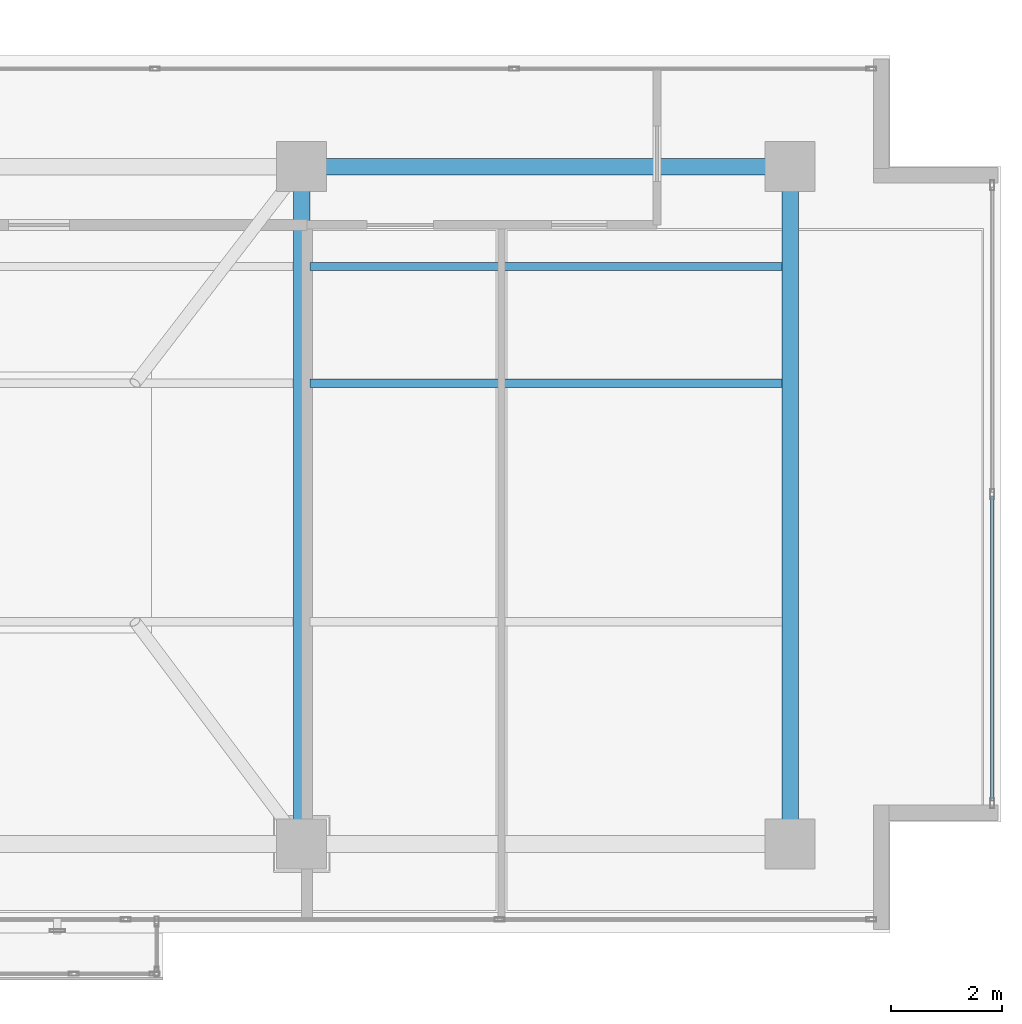
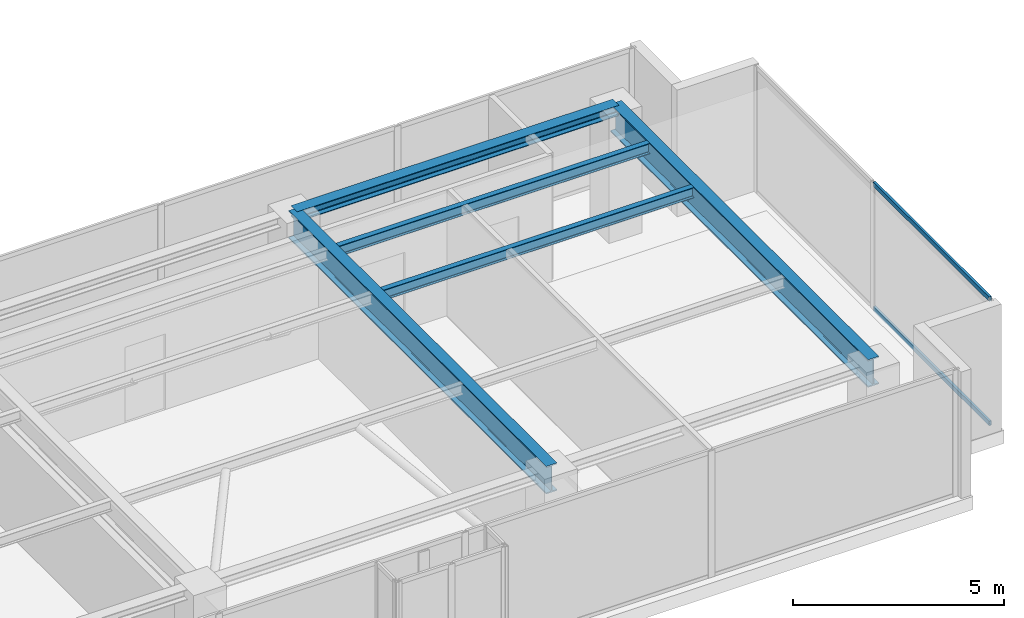
# One storey, part 16 of 31: 5 beams, 2 members, 1 element without a shape of its own.
"""IFC4 building model written with IfcOpenShell, lengths in metres."""

from ifc_helpers import new_model, si_unit, direction, frame, origin, origin_with_axes, origin_2d, place, context, subcontext, project, spatial, hollow_rectangle, i_section, extrude, source, transform, mapped, material, layer, layer_set, material_profile, profile_set, type_object, element, aggregate, save


model = new_model("IFC4")

# Units and contexts
model_context = context("Model", 3, precision=1e-05, world=origin(), true_north=direction((0.0, 1.0)))
body_context = subcontext(model_context, "Body", "Model", "MODEL_VIEW")
ifc_project = project(units=[si_unit("LENGTHUNIT", "METRE"), si_unit("AREAUNIT", "SQUARE_METRE"), si_unit("VOLUMEUNIT", "CUBIC_METRE"), si_unit("PLANEANGLEUNIT", "RADIAN"), si_unit("MASSUNIT", "GRAM", prefix="KILO")], contexts=[model_context])

# Site, building, storey
site_placement = place(None, origin())
site = spatial("IfcSite", under=ifc_project, at=site_placement, CompositionType="ELEMENT")
building_placement = place(site_placement, origin())
building = spatial("IfcBuilding", under=site, at=building_placement, Name="Kolvaren Waterfront Exchange", CompositionType="ELEMENT")
storey_placement = place(building_placement, frame((0.0, 0.0, 344.199951171875)))
storey = spatial("IfcBuildingStorey", under=building, at=storey_placement, Name="L88", CompositionType="ELEMENT", Elevation=344.199951171875)

# Beams
ifc_material_1 = material(Name="Steel S355", Category="steel")
ifc_material_profile_1 = material_profile(ifc_material_1, i_section(OverallWidth=0.300048828125, OverallDepth=0.300048828125, WebThickness=0.010986328125, FlangeThickness=0.01904296875, FilletRadius=0.027099609375, at=origin_2d()), Name="HEB300")
ifc_profile_set_1 = profile_set([ifc_material_profile_1], Name="Steel S355")
beam_type_1 = type_object("IfcBeamType", Name="STR-BM-HEB300", PredefinedType="SPANDREL", material=ifc_profile_set_1)
beam_placement = place(storey_placement, frame((36.800048828125, 17.39990234375, 3.510009765625), z_axis=(1.0, 0.0, 0.0), x_axis=(0.0, 1.0, 0.0)))
element("IfcBeam", 1, at=beam_placement, inside=storey, type_object=beam_type_1, Name="L88 east-arm spandrel N3", PredefinedType="SPANDREL", context=body_context, shape_type="SweptSolid", body=[
    extrude(i_section(OverallWidth=0.300048828125, OverallDepth=0.300048828125, WebThickness=0.010986328125, FlangeThickness=0.01904296875, FilletRadius=0.027099609375, at=origin_2d()), origin(), (0.0, 0.0, 1.0), 8.800048828125),
])
ifc_material_profile_2 = material_profile(ifc_material_1, i_section(OverallWidth=0.300048828125, OverallDepth=0.800048828125, WebThickness=0.017578125, FlangeThickness=0.032958984375, FilletRadius=0.030029296875, at=origin_2d()), Name="HEB800")
ifc_profile_set_2 = profile_set([ifc_material_profile_2], Name="Steel S355")
beam_type_2 = type_object("IfcBeamType", Name="STR-BM-HEB800", PredefinedType="BEAM", material=ifc_profile_set_2)
for number, where, z_axis, x_axis, name in (
    (2, (36.800048828125, 5.199951171875, 3.260009765625), (0.0, 1.0, 0.0), (-1.0, 0.0, 0.0), "L88 east-arm transverse girder X36"),
    (3, (45.60009765625, 5.199951171875, 3.260009765625), (0.0, 1.0, 0.0), (-1.0, 0.0, 0.0), "L88 east-arm transverse girder X45"),
):
    element("IfcBeam", number, at=place(storey_placement, frame(where, z_axis=z_axis, x_axis=x_axis)), inside=storey, type_object=beam_type_2, Name=name, PredefinedType="BEAM", context=body_context, shape_type="SweptSolid", body=[
        extrude(i_section(OverallWidth=0.300048828125, OverallDepth=0.800048828125, WebThickness=0.017578125, FlangeThickness=0.032958984375, FilletRadius=0.030029296875, at=origin_2d()), origin(), (0.0, 0.0, 1.0), 12.199951171875),
    ])
ifc_material_profile_3 = material_profile(ifc_material_1, i_section(OverallWidth=0.14990234375, OverallDepth=0.300048828125, WebThickness=0.007080078125, FlangeThickness=0.0107421875, FilletRadius=0.014892578125, at=origin_2d()), Name="IPE300")
ifc_profile_set_3 = profile_set([ifc_material_profile_3], Name="Steel S355")
beam_type_3 = type_object("IfcBeamType", Name="STR-BM-IPE300", PredefinedType="JOIST", material=ifc_profile_set_3)
for number, where, z_axis, x_axis, name in (
    (4, (36.951904296875, 13.5, 3.510009765625), (1.0, 0.0, 0.0), (0.0, 1.0, 0.0), "L88 east-arm composite joist 3A"),
    (5, (36.951904296875, 15.60009765625, 3.510009765625), (1.0, 0.0, 0.0), (0.0, 1.0, 0.0), "L88 east-arm composite joist 3C"),
):
    element("IfcBeam", number, at=place(storey_placement, frame(where, z_axis=z_axis, x_axis=x_axis)), inside=storey, type_object=beam_type_3, Name=name, PredefinedType="JOIST", context=body_context, shape_type="SweptSolid", body=[
        extrude(i_section(OverallWidth=0.14990234375, OverallDepth=0.300048828125, WebThickness=0.007080078125, FlangeThickness=0.0107421875, FilletRadius=0.014892578125, at=origin_2d()), origin(), (0.0, 0.0, 1.0), 8.49609375),
    ])

# Curtain wall, members
ifc_material_2 = material(Name="Anodised bronze aluminium 6063-T6", Category="aluminium")
ifc_layer = layer(ifc_material_2, 0.219970703125, Name="Anodised bronze aluminium 6063-T6")
ifc_layer_set = layer_set([ifc_layer], Name="Anodised bronze aluminium 6063-T6")
curtain_wall_type = type_object("IfcCurtainWallType", Name="ARC-CW-SYS5", PredefinedType="USERDEFINED", material=ifc_layer_set)
curtain_wall_placement = place(storey_placement, origin())
curtain_wall = element("IfcCurtainWall", 6, at=curtain_wall_placement, inside=storey, type_object=curtain_wall_type, Name="L88 stick curtain wall CW5 (CW-L88-ET)", ObjectType="STICK CURTAIN WALL", PredefinedType="USERDEFINED")
ifc_material_profile_4 = material_profile(ifc_material_2, hollow_rectangle(XDim=0.06494140625, YDim=0.1298828125, WallThickness=0.00390625, at=origin_2d()), Name="ALU-TRN-130x65x4")
ifc_profile_set_4 = profile_set([ifc_material_profile_4], Name="Anodised bronze aluminium 6063-T6")
member_type = type_object("IfcMemberType", Name="ARC-CWT-130", PredefinedType="USERDEFINED", material=ifc_profile_set_4)
shared_shape = source(origin_with_axes(), body_context, "Body", "SweptSolid", [
    extrude(hollow_rectangle(XDim=0.06494140625, YDim=0.1298828125, WallThickness=0.00390625, at=origin_2d()), origin(), (0.0, 0.0, 1.0), 5.4873046875),
])
member_1_placement = place(storey_placement, frame((49.239990234375, 5.97509765625, 0.032470703125), z_axis=(0.0, 1.0, 0.0), x_axis=(-1.0, 0.0, 0.0)))
member_1 = element("IfcMember", 7, at=member_1_placement, type_object=member_type, Name="CW5 transom 1.1", ObjectType="TRANSOM", PredefinedType="USERDEFINED", context=body_context, shape_type="MappedRepresentation", body=[
    mapped(shared_shape, transform((0.0, 0.0, 0.0), x_axis=(1.0, 0.0, 0.0), y_axis=(0.0, 1.0, 0.0), z_axis=(0.0, 0.0, 1.0), scale=1.0)),
])
member_2_placement = place(storey_placement, frame((49.239990234375, 5.97509765625, 3.62744140625), z_axis=(0.0, 1.0, 0.0), x_axis=(-1.0, 0.0, 0.0)))
member_2 = element("IfcMember", 8, at=member_2_placement, type_object=member_type, Name="CW5 transom 1.2", ObjectType="TRANSOM", PredefinedType="USERDEFINED", context=body_context, shape_type="MappedRepresentation", body=[
    mapped(shared_shape, transform((0.0, 0.0, 0.0), x_axis=(1.0, 0.0, 0.0), y_axis=(0.0, 1.0, 0.0), z_axis=(0.0, 0.0, 1.0), scale=1.0)),
])
aggregate(curtain_wall, [member_1, member_2])

save(model, "model.ifc")
